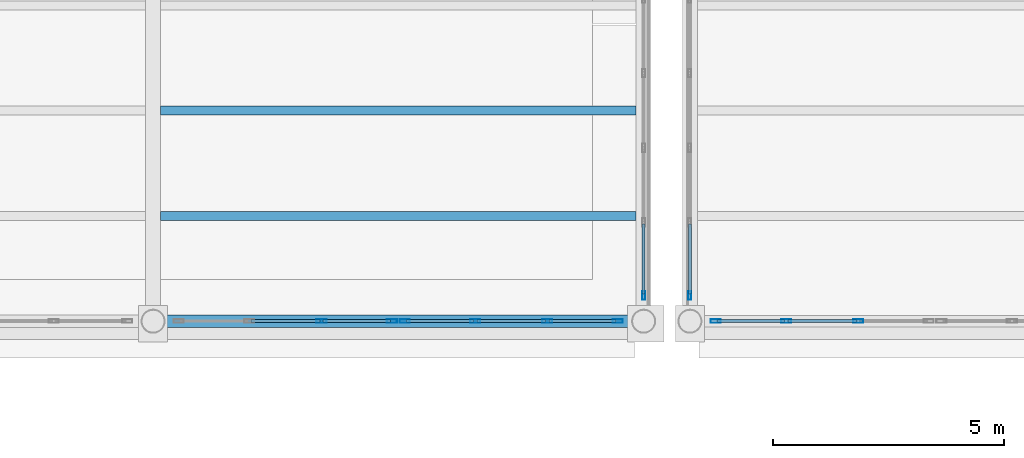
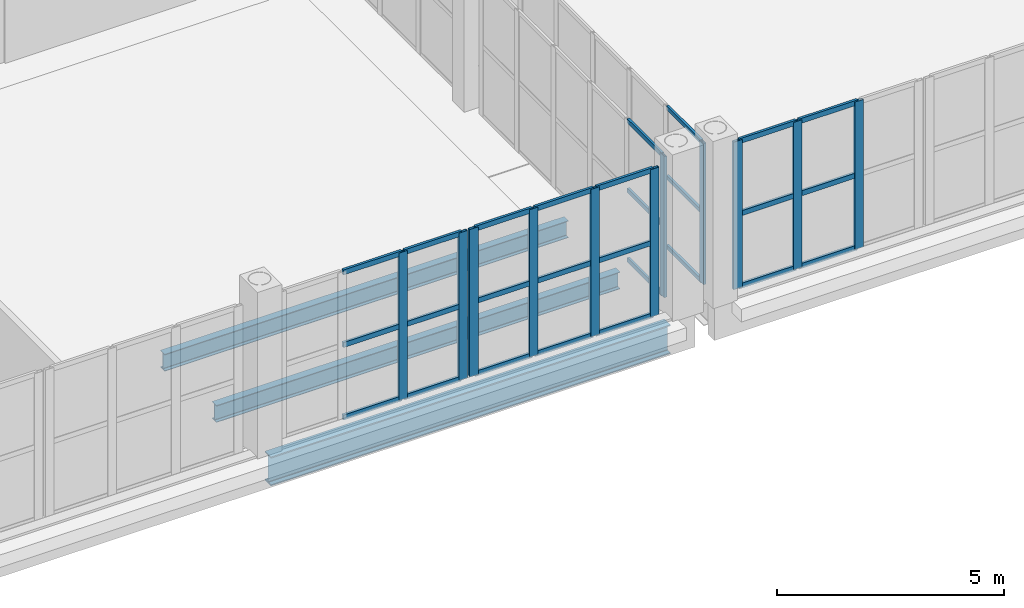
# One storey, part 31 of 156: 38 members, 3 beams, 5 elements without a shape of their own.
"""IFC4 building model written with IfcOpenShell, lengths in metres."""

from ifc_helpers import new_model, si_unit, direction, frame, origin, origin_2d, place, context, subcontext, project, spatial, hollow_rectangle, i_section, extrude, material, material_profile, profile_set, type_object, element, aggregate, save


model = new_model("IFC4")

# Units and contexts
model_context = context("Model", 3, precision=1e-05, world=origin(), true_north=direction((0.0, 1.0)))
body_context = subcontext(model_context, "Body", "Model", "MODEL_VIEW")
ifc_project = project(units=[si_unit("LENGTHUNIT", "METRE"), si_unit("AREAUNIT", "SQUARE_METRE"), si_unit("VOLUMEUNIT", "CUBIC_METRE"), si_unit("PLANEANGLEUNIT", "RADIAN"), si_unit("MASSUNIT", "GRAM", prefix="KILO")], contexts=[model_context])

# Site, building, storey
site_placement = place(None, origin())
site = spatial("IfcSite", under=ifc_project, at=site_placement, CompositionType="ELEMENT")
building_placement = place(site_placement, origin())
building = spatial("IfcBuilding", under=site, at=building_placement, Name="Caurita Quay Ferry Terminal", CompositionType="ELEMENT")
storey_placement = place(building_placement, frame((0.0, 0.0, 5.39990234375)))
storey = spatial("IfcBuildingStorey", under=building, at=storey_placement, Name="L01", CompositionType="ELEMENT", Elevation=5.39990234375)

# Beams
ifc_material_1 = material(Name="Structural steel ASTM A992 Gr. 50", Category="steel")
ifc_material_profile_1 = material_profile(ifc_material_1, i_section(OverallWidth=0.2666015625, OverallDepth=0.77978515625, WebThickness=0.0166015625, FlangeThickness=0.030029296875, FilletRadius=0.01904296875, at=origin_2d()), Name="W30X148")
ifc_profile_set_1 = profile_set([ifc_material_profile_1], Name="Structural steel ASTM A992 Gr. 50")
beam_type_1 = type_object("IfcBeamType", Name="BM-GR-W30A", PredefinedType="BEAM", material=ifc_profile_set_1)
beam_placement = place(storey_placement, frame((77.2158203125, 34.60009765625, -0.689697265625), z_axis=(1.0, 0.0, 0.0), x_axis=(0.0, 1.0, 0.0)))
element("IfcBeam", 1, at=beam_placement, inside=storey, type_object=beam_type_1, Name="L01 Beam BM-V1-L01-X-772-346", PredefinedType="BEAM", context=body_context, shape_type="SweptSolid", body=[
    extrude(i_section(OverallWidth=0.2666015625, OverallDepth=0.77978515625, WebThickness=0.0166015625, FlangeThickness=0.030029296875, FilletRadius=0.01904296875, at=origin_2d()), origin(), (0.0, 0.0, 1.0), 10.168212890625),
])
ifc_material_profile_2 = material_profile(ifc_material_1, i_section(OverallWidth=0.1904296875, OverallDepth=0.457275390625, WebThickness=0.009033203125, FlangeThickness=0.014404296875, FilletRadius=0.0126953125, at=origin_2d()), Name="W18X50")
ifc_profile_set_2 = profile_set([ifc_material_profile_2], Name="Structural steel ASTM A992 Gr. 50")
beam_type_2 = type_object("IfcBeamType", Name="BM-JS-W18B", PredefinedType="JOIST", material=ifc_profile_set_2)
for number, where, z_axis, x_axis, name in (
    (2, (77.16259765625, 36.875, -0.528564453125), (1.0, 0.0, 0.0), (0.0, 1.0, 0.0), "L01 Beam JS-V1-L01-070"),
    (3, (77.16259765625, 39.14990234375, -0.528564453125), (1.0, 0.0, 0.0), (0.0, 1.0, 0.0), "L01 Beam JS-V1-L01-071"),
):
    element("IfcBeam", number, at=place(storey_placement, frame(where, z_axis=z_axis, x_axis=x_axis)), inside=storey, type_object=beam_type_2, Name=name, PredefinedType="JOIST", context=body_context, shape_type="SweptSolid", body=[
        extrude(i_section(OverallWidth=0.1904296875, OverallDepth=0.457275390625, WebThickness=0.009033203125, FlangeThickness=0.014404296875, FilletRadius=0.0126953125, at=origin_2d()), origin(), (0.0, 0.0, 1.0), 10.27490234375),
    ])

# Curtain wall, member
ifc_material_2 = material(Name="Laminated solar-control insulated glass", Category="glass")
curtain_wall_type_1 = type_object("IfcCurtainWallType", Name="CW-SYS-11", PredefinedType="NOTDEFINED", material=ifc_material_2)
curtain_wall_1_placement = place(storey_placement, origin())
curtain_wall_1 = element("IfcCurtainWall", 4, at=curtain_wall_1_placement, inside=storey, type_object=curtain_wall_type_1, Name="Concourse Gable Curtain Wall 080", PredefinedType="NOTDEFINED")
ifc_material_3 = material(Name="Anodized aluminium 6063-T6", Category="aluminium")
ifc_material_profile_3 = material_profile(ifc_material_3, hollow_rectangle(XDim=0.06494140625, YDim=0.179931640625, WallThickness=0.00390625, at=origin_2d()), Name="ALU-MUL-65X180")
ifc_profile_set_3 = profile_set([ifc_material_profile_3], Name="Anodized aluminium 6063-T6")
member_type_1 = type_object("IfcMemberType", Name="CW-MUL-180", PredefinedType="MULLION", material=ifc_profile_set_3)
member_1_placement = place(storey_placement, frame((87.60009765625, 35.152587890625, 0.0), z_axis=(0.0, 0.0, 1.0), x_axis=(-1.0, 0.0, 0.0)))
member_1 = element("IfcMember", 5, at=member_1_placement, type_object=member_type_1, Name="CW-GBL-080 Mullion 1", PredefinedType="MULLION", context=body_context, shape_type="SweptSolid", body=[
    extrude(hollow_rectangle(XDim=0.06494140625, YDim=0.179931640625, WallThickness=0.00390625, at=origin_2d()), origin(), (0.0, 0.0, 1.0), 3.800048828125),
])

curtain_wall_2_placement = place(storey_placement, origin())
curtain_wall_2 = element("IfcCurtainWall", 6, at=curtain_wall_2_placement, inside=storey, type_object=curtain_wall_type_1, Name="Concourse Gable Curtain Wall 083", PredefinedType="NOTDEFINED")
member_2_placement = place(storey_placement, frame((88.60009765625, 35.152587890625, 0.0), z_axis=(0.0, 0.0, 1.0), x_axis=(-1.0, 0.0, 0.0)))
member_2 = element("IfcMember", 7, at=member_2_placement, type_object=member_type_1, Name="CW-GBL-083 Mullion 1", PredefinedType="MULLION", context=body_context, shape_type="SweptSolid", body=[
    extrude(hollow_rectangle(XDim=0.06494140625, YDim=0.179931640625, WallThickness=0.00390625, at=origin_2d()), origin(), (0.0, 0.0, 1.0), 3.800048828125),
])

# Curtain wall, members
curtain_wall_type_2 = type_object("IfcCurtainWallType", Name="CW-SYS-09", PredefinedType="NOTDEFINED", material=ifc_material_2)
curtain_wall_3_placement = place(storey_placement, origin())
curtain_wall_3 = element("IfcCurtainWall", 8, at=curtain_wall_3_placement, inside=storey, type_object=curtain_wall_type_2, Name="V1 Waterside Concourse Curtain Wall 063", PredefinedType="NOTDEFINED")
ifc_material_profile_4 = material_profile(ifc_material_3, hollow_rectangle(XDim=0.074951171875, YDim=0.219970703125, WallThickness=0.00390625, at=origin_2d()), Name="ALU-MUL-75X220")
ifc_profile_set_4 = profile_set([ifc_material_profile_4], Name="Anodized aluminium 6063-T6")
member_type_2 = type_object("IfcMemberType", Name="CW-MUL-220", PredefinedType="MULLION", material=ifc_profile_set_4)
member_3_placement = place(storey_placement, frame((80.639892578125, 34.60009765625, 0.0), z_axis=(0.0, 0.0, 1.0), x_axis=(0.0, 1.0, 0.0)))
member_3 = element("IfcMember", 9, at=member_3_placement, type_object=member_type_2, Name="CW-SEA-063 Mullion 3", PredefinedType="MULLION", context=body_context, shape_type="SweptSolid", body=[
    extrude(hollow_rectangle(XDim=0.074951171875, YDim=0.219970703125, WallThickness=0.00390625, at=origin_2d()), origin(), (0.0, 0.0, 1.0), 3.97021484375),
])
member_4_placement = place(storey_placement, frame((82.16259765625, 34.60009765625, 0.0), z_axis=(0.0, 0.0, 1.0), x_axis=(0.0, 1.0, 0.0)))
member_4 = element("IfcMember", 10, at=member_4_placement, type_object=member_type_2, Name="CW-SEA-063 Mullion 4", PredefinedType="MULLION", context=body_context, shape_type="SweptSolid", body=[
    extrude(hollow_rectangle(XDim=0.074951171875, YDim=0.219970703125, WallThickness=0.00390625, at=origin_2d()), origin(), (0.0, 0.0, 1.0), 3.97021484375),
])

curtain_wall_4_placement = place(storey_placement, origin())
curtain_wall_4 = element("IfcCurtainWall", 11, at=curtain_wall_4_placement, inside=storey, type_object=curtain_wall_type_2, Name="V1 Waterside Concourse Curtain Wall 064", PredefinedType="NOTDEFINED")
member_5_placement = place(storey_placement, frame((82.4375, 34.60009765625, 0.0), z_axis=(0.0, 0.0, 1.0), x_axis=(0.0, 1.0, 0.0)))
member_5 = element("IfcMember", 12, at=member_5_placement, type_object=member_type_2, Name="CW-SEA-064 Mullion 1", PredefinedType="MULLION", context=body_context, shape_type="SweptSolid", body=[
    extrude(hollow_rectangle(XDim=0.074951171875, YDim=0.219970703125, WallThickness=0.00390625, at=origin_2d()), origin(), (0.0, 0.0, 1.0), 3.97021484375),
])
member_6_placement = place(storey_placement, frame((83.9599609375, 34.60009765625, 0.0), z_axis=(0.0, 0.0, 1.0), x_axis=(0.0, 1.0, 0.0)))
member_6 = element("IfcMember", 13, at=member_6_placement, type_object=member_type_2, Name="CW-SEA-064 Mullion 2", PredefinedType="MULLION", context=body_context, shape_type="SweptSolid", body=[
    extrude(hollow_rectangle(XDim=0.074951171875, YDim=0.219970703125, WallThickness=0.00390625, at=origin_2d()), origin(), (0.0, 0.0, 1.0), 3.97021484375),
])
member_7_placement = place(storey_placement, frame((85.52001953125, 34.60009765625, 0.0), z_axis=(0.0, 0.0, 1.0), x_axis=(0.0, 1.0, 0.0)))
member_7 = element("IfcMember", 14, at=member_7_placement, type_object=member_type_2, Name="CW-SEA-064 Mullion 3", PredefinedType="MULLION", context=body_context, shape_type="SweptSolid", body=[
    extrude(hollow_rectangle(XDim=0.074951171875, YDim=0.219970703125, WallThickness=0.00390625, at=origin_2d()), origin(), (0.0, 0.0, 1.0), 3.97021484375),
])
member_8_placement = place(storey_placement, frame((87.04248046875, 34.60009765625, 0.0), z_axis=(0.0, 0.0, 1.0), x_axis=(0.0, 1.0, 0.0)))
member_8 = element("IfcMember", 15, at=member_8_placement, type_object=member_type_2, Name="CW-SEA-064 Mullion 4", PredefinedType="MULLION", context=body_context, shape_type="SweptSolid", body=[
    extrude(hollow_rectangle(XDim=0.074951171875, YDim=0.219970703125, WallThickness=0.00390625, at=origin_2d()), origin(), (0.0, 0.0, 1.0), 3.97021484375),
])

curtain_wall_5_placement = place(storey_placement, origin())
curtain_wall_5 = element("IfcCurtainWall", 16, at=curtain_wall_5_placement, inside=storey, type_object=curtain_wall_type_2, Name="V2 Waterside Concourse Curtain Wall 065", PredefinedType="NOTDEFINED")
member_9_placement = place(storey_placement, frame((89.157470703125, 34.60009765625, 0.0), z_axis=(0.0, 0.0, 1.0), x_axis=(0.0, 1.0, 0.0)))
member_9 = element("IfcMember", 17, at=member_9_placement, type_object=member_type_2, Name="CW-SEA-065 Mullion 1", PredefinedType="MULLION", context=body_context, shape_type="SweptSolid", body=[
    extrude(hollow_rectangle(XDim=0.074951171875, YDim=0.219970703125, WallThickness=0.00390625, at=origin_2d()), origin(), (0.0, 0.0, 1.0), 3.97021484375),
])
member_10_placement = place(storey_placement, frame((90.679931640625, 34.60009765625, 0.0), z_axis=(0.0, 0.0, 1.0), x_axis=(0.0, 1.0, 0.0)))
member_10 = element("IfcMember", 18, at=member_10_placement, type_object=member_type_2, Name="CW-SEA-065 Mullion 2", PredefinedType="MULLION", context=body_context, shape_type="SweptSolid", body=[
    extrude(hollow_rectangle(XDim=0.074951171875, YDim=0.219970703125, WallThickness=0.00390625, at=origin_2d()), origin(), (0.0, 0.0, 1.0), 3.97021484375),
])
member_11_placement = place(storey_placement, frame((92.239990234375, 34.60009765625, 0.0), z_axis=(0.0, 0.0, 1.0), x_axis=(0.0, 1.0, 0.0)))
member_11 = element("IfcMember", 19, at=member_11_placement, type_object=member_type_2, Name="CW-SEA-065 Mullion 3", PredefinedType="MULLION", context=body_context, shape_type="SweptSolid", body=[
    extrude(hollow_rectangle(XDim=0.074951171875, YDim=0.219970703125, WallThickness=0.00390625, at=origin_2d()), origin(), (0.0, 0.0, 1.0), 3.97021484375),
])

# Member
ifc_material_profile_5 = material_profile(ifc_material_3, hollow_rectangle(XDim=0.06005859375, YDim=0.114990234375, WallThickness=0.00341796875, at=origin_2d()), Name="ALU-TRN-60X115")
ifc_profile_set_5 = profile_set([ifc_material_profile_5], Name="Anodized aluminium 6063-T6")
member_type_3 = type_object("IfcMemberType", Name="CW-TRN-115", PredefinedType="USERDEFINED", material=ifc_profile_set_5)
member_12_placement = place(storey_placement, frame((87.60009765625, 35.18310546875, 0.030029296875), z_axis=(0.0, 1.0, 0.0), x_axis=(-1.0, 0.0, 0.0)))
member_12 = element("IfcMember", 20, at=member_12_placement, type_object=member_type_3, Name="CW-GBL-080 Transom 1", ObjectType="TRANSOM", PredefinedType="USERDEFINED", context=body_context, shape_type="SweptSolid", body=[
    extrude(hollow_rectangle(XDim=0.06005859375, YDim=0.114990234375, WallThickness=0.00341796875, at=origin_2d()), origin(), (0.0, 0.0, 1.0), 1.518310546875),
])

member_13_placement = place(storey_placement, frame((87.60009765625, 35.18310546875, 1.900146484375), z_axis=(0.0, 1.0, 0.0), x_axis=(-1.0, 0.0, 0.0)))
member_13 = element("IfcMember", 21, at=member_13_placement, type_object=member_type_3, Name="CW-GBL-080 Transom 2", ObjectType="TRANSOM", PredefinedType="USERDEFINED", context=body_context, shape_type="SweptSolid", body=[
    extrude(hollow_rectangle(XDim=0.06005859375, YDim=0.114990234375, WallThickness=0.00341796875, at=origin_2d()), origin(), (0.0, 0.0, 1.0), 1.518310546875),
])

member_14_placement = place(storey_placement, frame((87.60009765625, 35.18310546875, 3.77001953125), z_axis=(0.0, 1.0, 0.0), x_axis=(-1.0, 0.0, 0.0)))
member_14 = element("IfcMember", 22, at=member_14_placement, type_object=member_type_3, Name="CW-GBL-080 Transom 3", ObjectType="TRANSOM", PredefinedType="USERDEFINED", context=body_context, shape_type="SweptSolid", body=[
    extrude(hollow_rectangle(XDim=0.06005859375, YDim=0.114990234375, WallThickness=0.00341796875, at=origin_2d()), origin(), (0.0, 0.0, 1.0), 1.518310546875),
])

aggregate(curtain_wall_1, [member_1, member_12, member_13, member_14])

member_15_placement = place(storey_placement, frame((88.60009765625, 35.18310546875, 0.030029296875), z_axis=(0.0, 1.0, 0.0), x_axis=(-1.0, 0.0, 0.0)))
member_15 = element("IfcMember", 23, at=member_15_placement, type_object=member_type_3, Name="CW-GBL-083 Transom 1", ObjectType="TRANSOM", PredefinedType="USERDEFINED", context=body_context, shape_type="SweptSolid", body=[
    extrude(hollow_rectangle(XDim=0.06005859375, YDim=0.114990234375, WallThickness=0.00341796875, at=origin_2d()), origin(), (0.0, 0.0, 1.0), 1.518310546875),
])

member_16_placement = place(storey_placement, frame((88.60009765625, 35.18310546875, 1.900146484375), z_axis=(0.0, 1.0, 0.0), x_axis=(-1.0, 0.0, 0.0)))
member_16 = element("IfcMember", 24, at=member_16_placement, type_object=member_type_3, Name="CW-GBL-083 Transom 2", ObjectType="TRANSOM", PredefinedType="USERDEFINED", context=body_context, shape_type="SweptSolid", body=[
    extrude(hollow_rectangle(XDim=0.06005859375, YDim=0.114990234375, WallThickness=0.00341796875, at=origin_2d()), origin(), (0.0, 0.0, 1.0), 1.518310546875),
])

member_17_placement = place(storey_placement, frame((88.60009765625, 35.18310546875, 3.77001953125), z_axis=(0.0, 1.0, 0.0), x_axis=(-1.0, 0.0, 0.0)))
member_17 = element("IfcMember", 25, at=member_17_placement, type_object=member_type_3, Name="CW-GBL-083 Transom 3", ObjectType="TRANSOM", PredefinedType="USERDEFINED", context=body_context, shape_type="SweptSolid", body=[
    extrude(hollow_rectangle(XDim=0.06005859375, YDim=0.114990234375, WallThickness=0.00341796875, at=origin_2d()), origin(), (0.0, 0.0, 1.0), 1.518310546875),
])

aggregate(curtain_wall_2, [member_2, member_15, member_16, member_17])

ifc_material_profile_6 = material_profile(ifc_material_3, hollow_rectangle(XDim=0.06494140625, YDim=0.135009765625, WallThickness=0.00341796875, at=origin_2d()), Name="ALU-TRN-65X135")
ifc_profile_set_6 = profile_set([ifc_material_profile_6], Name="Anodized aluminium 6063-T6")
member_type_4 = type_object("IfcMemberType", Name="CW-TRN-135", PredefinedType="USERDEFINED", material=ifc_profile_set_6)
member_18_placement = place(storey_placement, frame((79.115478515625, 34.60009765625, 0.03271484375), z_axis=(1.0, 0.0, 0.0), x_axis=(0.0, 1.0, 0.0)))
member_18 = element("IfcMember", 26, at=member_18_placement, type_object=member_type_4, Name="CW-SEA-063 Transom 4", ObjectType="TRANSOM", PredefinedType="USERDEFINED", context=body_context, shape_type="SweptSolid", body=[
    extrude(hollow_rectangle(XDim=0.06494140625, YDim=0.135009765625, WallThickness=0.00341796875, at=origin_2d()), origin(), (0.0, 0.0, 1.0), 1.489013671875),
])

member_19_placement = place(storey_placement, frame((79.115478515625, 34.60009765625, 1.985107421875), z_axis=(1.0, 0.0, 0.0), x_axis=(0.0, 1.0, 0.0)))
member_19 = element("IfcMember", 27, at=member_19_placement, type_object=member_type_4, Name="CW-SEA-063 Transom 5", ObjectType="TRANSOM", PredefinedType="USERDEFINED", context=body_context, shape_type="SweptSolid", body=[
    extrude(hollow_rectangle(XDim=0.06494140625, YDim=0.135009765625, WallThickness=0.00341796875, at=origin_2d()), origin(), (0.0, 0.0, 1.0), 1.489013671875),
])

member_20_placement = place(storey_placement, frame((79.115478515625, 34.60009765625, 3.9375), z_axis=(1.0, 0.0, 0.0), x_axis=(0.0, 1.0, 0.0)))
member_20 = element("IfcMember", 28, at=member_20_placement, type_object=member_type_4, Name="CW-SEA-063 Transom 6", ObjectType="TRANSOM", PredefinedType="USERDEFINED", context=body_context, shape_type="SweptSolid", body=[
    extrude(hollow_rectangle(XDim=0.06494140625, YDim=0.135009765625, WallThickness=0.00341796875, at=origin_2d()), origin(), (0.0, 0.0, 1.0), 1.489013671875),
])

member_21_placement = place(storey_placement, frame((80.675537109375, 34.60009765625, 0.03271484375), z_axis=(1.0, 0.0, 0.0), x_axis=(0.0, 1.0, 0.0)))
member_21 = element("IfcMember", 29, at=member_21_placement, type_object=member_type_4, Name="CW-SEA-063 Transom 7", ObjectType="TRANSOM", PredefinedType="USERDEFINED", context=body_context, shape_type="SweptSolid", body=[
    extrude(hollow_rectangle(XDim=0.06494140625, YDim=0.135009765625, WallThickness=0.00341796875, at=origin_2d()), origin(), (0.0, 0.0, 1.0), 1.451416015625),
])

member_22_placement = place(storey_placement, frame((80.675537109375, 34.60009765625, 1.985107421875), z_axis=(1.0, 0.0, 0.0), x_axis=(0.0, 1.0, 0.0)))
member_22 = element("IfcMember", 30, at=member_22_placement, type_object=member_type_4, Name="CW-SEA-063 Transom 8", ObjectType="TRANSOM", PredefinedType="USERDEFINED", context=body_context, shape_type="SweptSolid", body=[
    extrude(hollow_rectangle(XDim=0.06494140625, YDim=0.135009765625, WallThickness=0.00341796875, at=origin_2d()), origin(), (0.0, 0.0, 1.0), 1.451416015625),
])

member_23_placement = place(storey_placement, frame((80.675537109375, 34.60009765625, 3.9375), z_axis=(1.0, 0.0, 0.0), x_axis=(0.0, 1.0, 0.0)))
member_23 = element("IfcMember", 31, at=member_23_placement, type_object=member_type_4, Name="CW-SEA-063 Transom 9", ObjectType="TRANSOM", PredefinedType="USERDEFINED", context=body_context, shape_type="SweptSolid", body=[
    extrude(hollow_rectangle(XDim=0.06494140625, YDim=0.135009765625, WallThickness=0.00341796875, at=origin_2d()), origin(), (0.0, 0.0, 1.0), 1.451416015625),
])

aggregate(curtain_wall_3, [member_3, member_4, member_18, member_19, member_20, member_21, member_22, member_23])

member_24_placement = place(storey_placement, frame((82.472900390625, 34.60009765625, 0.03271484375), z_axis=(1.0, 0.0, 0.0), x_axis=(0.0, 1.0, 0.0)))
member_24 = element("IfcMember", 32, at=member_24_placement, type_object=member_type_4, Name="CW-SEA-064 Transom 1", ObjectType="TRANSOM", PredefinedType="USERDEFINED", context=body_context, shape_type="SweptSolid", body=[
    extrude(hollow_rectangle(XDim=0.06494140625, YDim=0.135009765625, WallThickness=0.00341796875, at=origin_2d()), origin(), (0.0, 0.0, 1.0), 1.45166015625),
])

member_25_placement = place(storey_placement, frame((82.472900390625, 34.60009765625, 1.985107421875), z_axis=(1.0, 0.0, 0.0), x_axis=(0.0, 1.0, 0.0)))
member_25 = element("IfcMember", 33, at=member_25_placement, type_object=member_type_4, Name="CW-SEA-064 Transom 2", ObjectType="TRANSOM", PredefinedType="USERDEFINED", context=body_context, shape_type="SweptSolid", body=[
    extrude(hollow_rectangle(XDim=0.06494140625, YDim=0.135009765625, WallThickness=0.00341796875, at=origin_2d()), origin(), (0.0, 0.0, 1.0), 1.45166015625),
])

member_26_placement = place(storey_placement, frame((82.472900390625, 34.60009765625, 3.9375), z_axis=(1.0, 0.0, 0.0), x_axis=(0.0, 1.0, 0.0)))
member_26 = element("IfcMember", 34, at=member_26_placement, type_object=member_type_4, Name="CW-SEA-064 Transom 3", ObjectType="TRANSOM", PredefinedType="USERDEFINED", context=body_context, shape_type="SweptSolid", body=[
    extrude(hollow_rectangle(XDim=0.06494140625, YDim=0.135009765625, WallThickness=0.00341796875, at=origin_2d()), origin(), (0.0, 0.0, 1.0), 1.45166015625),
])

member_27_placement = place(storey_placement, frame((83.99560546875, 34.60009765625, 0.03271484375), z_axis=(1.0, 0.0, 0.0), x_axis=(0.0, 1.0, 0.0)))
member_27 = element("IfcMember", 35, at=member_27_placement, type_object=member_type_4, Name="CW-SEA-064 Transom 4", ObjectType="TRANSOM", PredefinedType="USERDEFINED", context=body_context, shape_type="SweptSolid", body=[
    extrude(hollow_rectangle(XDim=0.06494140625, YDim=0.135009765625, WallThickness=0.00341796875, at=origin_2d()), origin(), (0.0, 0.0, 1.0), 1.489013671875),
])

member_28_placement = place(storey_placement, frame((83.99560546875, 34.60009765625, 1.985107421875), z_axis=(1.0, 0.0, 0.0), x_axis=(0.0, 1.0, 0.0)))
member_28 = element("IfcMember", 36, at=member_28_placement, type_object=member_type_4, Name="CW-SEA-064 Transom 5", ObjectType="TRANSOM", PredefinedType="USERDEFINED", context=body_context, shape_type="SweptSolid", body=[
    extrude(hollow_rectangle(XDim=0.06494140625, YDim=0.135009765625, WallThickness=0.00341796875, at=origin_2d()), origin(), (0.0, 0.0, 1.0), 1.489013671875),
])

member_29_placement = place(storey_placement, frame((83.99560546875, 34.60009765625, 3.9375), z_axis=(1.0, 0.0, 0.0), x_axis=(0.0, 1.0, 0.0)))
member_29 = element("IfcMember", 37, at=member_29_placement, type_object=member_type_4, Name="CW-SEA-064 Transom 6", ObjectType="TRANSOM", PredefinedType="USERDEFINED", context=body_context, shape_type="SweptSolid", body=[
    extrude(hollow_rectangle(XDim=0.06494140625, YDim=0.135009765625, WallThickness=0.00341796875, at=origin_2d()), origin(), (0.0, 0.0, 1.0), 1.489013671875),
])

member_30_placement = place(storey_placement, frame((85.555419921875, 34.60009765625, 0.03271484375), z_axis=(1.0, 0.0, 0.0), x_axis=(0.0, 1.0, 0.0)))
member_30 = element("IfcMember", 38, at=member_30_placement, type_object=member_type_4, Name="CW-SEA-064 Transom 7", ObjectType="TRANSOM", PredefinedType="USERDEFINED", context=body_context, shape_type="SweptSolid", body=[
    extrude(hollow_rectangle(XDim=0.06494140625, YDim=0.135009765625, WallThickness=0.00341796875, at=origin_2d()), origin(), (0.0, 0.0, 1.0), 1.45166015625),
])

member_31_placement = place(storey_placement, frame((85.555419921875, 34.60009765625, 1.985107421875), z_axis=(1.0, 0.0, 0.0), x_axis=(0.0, 1.0, 0.0)))
member_31 = element("IfcMember", 39, at=member_31_placement, type_object=member_type_4, Name="CW-SEA-064 Transom 8", ObjectType="TRANSOM", PredefinedType="USERDEFINED", context=body_context, shape_type="SweptSolid", body=[
    extrude(hollow_rectangle(XDim=0.06494140625, YDim=0.135009765625, WallThickness=0.00341796875, at=origin_2d()), origin(), (0.0, 0.0, 1.0), 1.45166015625),
])

member_32_placement = place(storey_placement, frame((85.555419921875, 34.60009765625, 3.9375), z_axis=(1.0, 0.0, 0.0), x_axis=(0.0, 1.0, 0.0)))
member_32 = element("IfcMember", 40, at=member_32_placement, type_object=member_type_4, Name="CW-SEA-064 Transom 9", ObjectType="TRANSOM", PredefinedType="USERDEFINED", context=body_context, shape_type="SweptSolid", body=[
    extrude(hollow_rectangle(XDim=0.06494140625, YDim=0.135009765625, WallThickness=0.00341796875, at=origin_2d()), origin(), (0.0, 0.0, 1.0), 1.45166015625),
])

aggregate(curtain_wall_4, [member_5, member_6, member_7, member_8, member_24, member_25, member_26, member_27, member_28, member_29, member_30, member_31, member_32])

member_33_placement = place(storey_placement, frame((89.193115234375, 34.60009765625, 0.03271484375), z_axis=(1.0, 0.0, 0.0), x_axis=(0.0, 1.0, 0.0)))
member_33 = element("IfcMember", 41, at=member_33_placement, type_object=member_type_4, Name="CW-SEA-065 Transom 1", ObjectType="TRANSOM", PredefinedType="USERDEFINED", context=body_context, shape_type="SweptSolid", body=[
    extrude(hollow_rectangle(XDim=0.06494140625, YDim=0.135009765625, WallThickness=0.00341796875, at=origin_2d()), origin(), (0.0, 0.0, 1.0), 1.451416015625),
])

member_34_placement = place(storey_placement, frame((89.193115234375, 34.60009765625, 1.985107421875), z_axis=(1.0, 0.0, 0.0), x_axis=(0.0, 1.0, 0.0)))
member_34 = element("IfcMember", 42, at=member_34_placement, type_object=member_type_4, Name="CW-SEA-065 Transom 2", ObjectType="TRANSOM", PredefinedType="USERDEFINED", context=body_context, shape_type="SweptSolid", body=[
    extrude(hollow_rectangle(XDim=0.06494140625, YDim=0.135009765625, WallThickness=0.00341796875, at=origin_2d()), origin(), (0.0, 0.0, 1.0), 1.451416015625),
])

member_35_placement = place(storey_placement, frame((89.193115234375, 34.60009765625, 3.9375), z_axis=(1.0, 0.0, 0.0), x_axis=(0.0, 1.0, 0.0)))
member_35 = element("IfcMember", 43, at=member_35_placement, type_object=member_type_4, Name="CW-SEA-065 Transom 3", ObjectType="TRANSOM", PredefinedType="USERDEFINED", context=body_context, shape_type="SweptSolid", body=[
    extrude(hollow_rectangle(XDim=0.06494140625, YDim=0.135009765625, WallThickness=0.00341796875, at=origin_2d()), origin(), (0.0, 0.0, 1.0), 1.451416015625),
])

member_36_placement = place(storey_placement, frame((90.715576171875, 34.60009765625, 0.03271484375), z_axis=(1.0, 0.0, 0.0), x_axis=(0.0, 1.0, 0.0)))
member_36 = element("IfcMember", 44, at=member_36_placement, type_object=member_type_4, Name="CW-SEA-065 Transom 4", ObjectType="TRANSOM", PredefinedType="USERDEFINED", context=body_context, shape_type="SweptSolid", body=[
    extrude(hollow_rectangle(XDim=0.06494140625, YDim=0.135009765625, WallThickness=0.00341796875, at=origin_2d()), origin(), (0.0, 0.0, 1.0), 1.489013671875),
])

member_37_placement = place(storey_placement, frame((90.715576171875, 34.60009765625, 1.985107421875), z_axis=(1.0, 0.0, 0.0), x_axis=(0.0, 1.0, 0.0)))
member_37 = element("IfcMember", 45, at=member_37_placement, type_object=member_type_4, Name="CW-SEA-065 Transom 5", ObjectType="TRANSOM", PredefinedType="USERDEFINED", context=body_context, shape_type="SweptSolid", body=[
    extrude(hollow_rectangle(XDim=0.06494140625, YDim=0.135009765625, WallThickness=0.00341796875, at=origin_2d()), origin(), (0.0, 0.0, 1.0), 1.489013671875),
])

member_38_placement = place(storey_placement, frame((90.715576171875, 34.60009765625, 3.9375), z_axis=(1.0, 0.0, 0.0), x_axis=(0.0, 1.0, 0.0)))
member_38 = element("IfcMember", 46, at=member_38_placement, type_object=member_type_4, Name="CW-SEA-065 Transom 6", ObjectType="TRANSOM", PredefinedType="USERDEFINED", context=body_context, shape_type="SweptSolid", body=[
    extrude(hollow_rectangle(XDim=0.06494140625, YDim=0.135009765625, WallThickness=0.00341796875, at=origin_2d()), origin(), (0.0, 0.0, 1.0), 1.489013671875),
])

aggregate(curtain_wall_5, [member_9, member_10, member_11, member_33, member_34, member_35, member_36, member_37, member_38])

save(model, "model.ifc")
